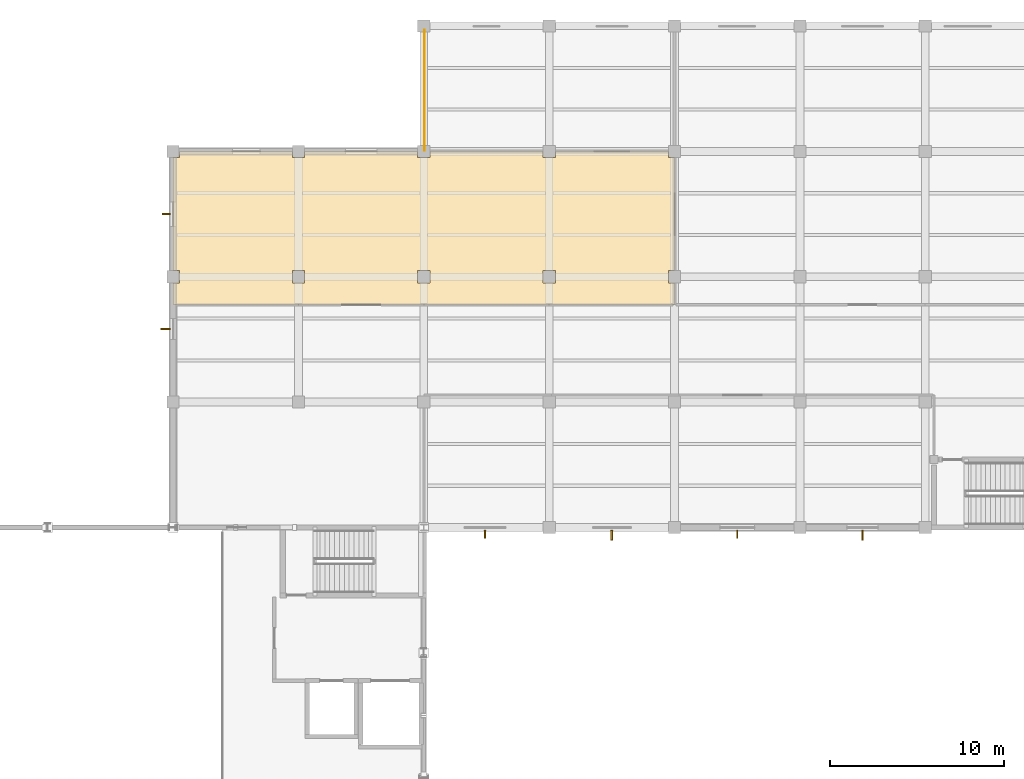
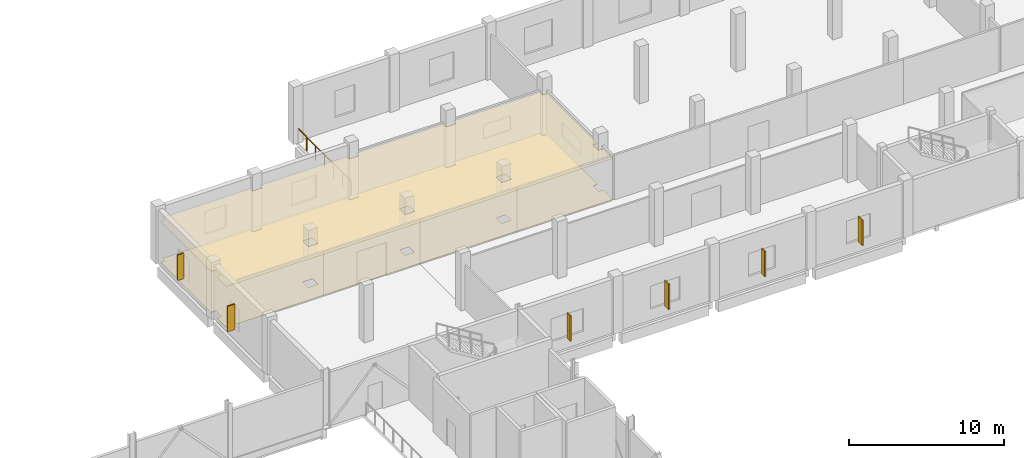
# One storey, part 106 of 108: 6 shading devices, 2 coverings, 1 railing.
"""IFC4 building model written with IfcOpenShell, lengths in metres."""

from ifc_helpers import new_model, si_unit, direction, frame, origin, origin_2d, place, context, subcontext, project, spatial, polyline, rectangle, circle, outline, extrude, material, layer, layer_set, type_object, element, save


model = new_model("IFC4")

# Units and contexts
model_context = context("Model", 3, precision=1e-05, world=origin(), true_north=direction((0.0, 1.0)))
body_context = subcontext(model_context, "Body", "Model", "MODEL_VIEW")
ifc_project = project(units=[si_unit("LENGTHUNIT", "METRE"), si_unit("AREAUNIT", "SQUARE_METRE"), si_unit("VOLUMEUNIT", "CUBIC_METRE"), si_unit("PLANEANGLEUNIT", "RADIAN"), si_unit("MASSUNIT", "GRAM", prefix="KILO"), si_unit("THERMODYNAMICTEMPERATUREUNIT", "KELVIN"), si_unit("POWERUNIT", "WATT")], contexts=[model_context])

# Site, building, storey
site_placement = place(None, origin())
site = spatial("IfcSite", under=ifc_project, at=site_placement, CompositionType="ELEMENT")
building_placement = place(site_placement, origin())
building = spatial("IfcBuilding", under=site, at=building_placement, Name="Kaldorven Railside Theatre", CompositionType="ELEMENT")
storey_placement = place(building_placement, frame((0.0, 0.0, 5.39990234375)))
storey = spatial("IfcBuildingStorey", under=building, at=storey_placement, Name="L01", CompositionType="ELEMENT", Elevation=5.39990234375)

# Coverings
ifc_material_1 = material(Name="Acoustic gypsum board")
ifc_layer_1 = layer(ifc_material_1, 0.0400390625, Name="Acoustic gypsum board")
ifc_layer_set_1 = layer_set([ifc_layer_1], Name="Acoustic gypsum board")
covering_type_1 = type_object("IfcCoveringType", Name="COV-CLG-01", PredefinedType="CEILING", material=ifc_layer_set_1)
covering_1_placement = place(storey_placement, frame((0.0, 0.0, 3.210205078125)))
element("IfcCovering", 1, at=covering_1_placement, inside=storey, type_object=covering_type_1, Name="Wardrobe Workshop Acoustic Ceiling 014", PredefinedType="CEILING", context=body_context, shape_type="SweptSolid", body=[
    extrude(outline(polyline([(137.60009765625, 125.60009765625), (108.800048828125, 125.60009765625), (108.800048828125, 126.847900390625), (109.152099609375, 126.847900390625), (109.152099609375, 127.552001953125), (108.800048828125, 127.552001953125), (108.800048828125, 134.048095703125), (109.152099609375, 134.048095703125), (109.152099609375, 134.39990234375), (115.64794921875, 134.39990234375), (115.64794921875, 134.048095703125), (116.35205078125, 134.048095703125), (116.35205078125, 134.39990234375), (122.847900390625, 134.39990234375), (122.847900390625, 134.048095703125), (123.552001953125, 134.048095703125), (123.552001953125, 134.39990234375), (130.048095703125, 134.39990234375), (130.048095703125, 134.048095703125), (130.751953125, 134.048095703125), (130.751953125, 134.39990234375), (137.248046875, 134.39990234375), (137.248046875, 134.048095703125), (137.60009765625, 134.048095703125), (137.60009765625, 127.552001953125), (137.248046875, 127.552001953125), (137.248046875, 126.847900390625), (137.60009765625, 126.847900390625), (137.60009765625, 125.60009765625)]), holes=[polyline([(123.552001953125, 127.552001953125), (122.847900390625, 127.552001953125), (122.847900390625, 126.847900390625), (123.552001953125, 126.847900390625), (123.552001953125, 127.552001953125)]), polyline([(116.35205078125, 127.552001953125), (115.64794921875, 127.552001953125), (115.64794921875, 126.847900390625), (116.35205078125, 126.847900390625), (116.35205078125, 127.552001953125)]), polyline([(130.751953125, 127.552001953125), (130.048095703125, 127.552001953125), (130.048095703125, 126.847900390625), (130.751953125, 126.847900390625), (130.751953125, 127.552001953125)])]), origin(), (0.0, 0.0, 1.0), 0.039794921875),
])
ifc_material_2 = material(Name="Terrazzo stone finish", Category="masonry")
ifc_layer_2 = layer(ifc_material_2, 0.02001953125, Name="Terrazzo stone finish")
ifc_layer_set_2 = layer_set([ifc_layer_2], Name="Terrazzo stone finish")
covering_type_2 = type_object("IfcCoveringType", Name="COV-FLR-02", PredefinedType="FLOORING", material=ifc_layer_set_2)
covering_2_placement = place(storey_placement, origin())
element("IfcCovering", 2, at=covering_2_placement, inside=storey, type_object=covering_type_2, Name="Wardrobe Workshop Finish Flooring FLR-006", PredefinedType="FLOORING", context=body_context, shape_type="SweptSolid", body=[
    extrude(outline(polyline([(137.60009765625, 125.60009765625), (108.800048828125, 125.60009765625), (108.800048828125, 126.847900390625), (109.152099609375, 126.847900390625), (109.152099609375, 127.552001953125), (108.800048828125, 127.552001953125), (108.800048828125, 134.048095703125), (109.152099609375, 134.048095703125), (109.152099609375, 134.39990234375), (115.64794921875, 134.39990234375), (115.64794921875, 134.048095703125), (116.35205078125, 134.048095703125), (116.35205078125, 134.39990234375), (122.847900390625, 134.39990234375), (122.847900390625, 134.048095703125), (123.552001953125, 134.048095703125), (123.552001953125, 134.39990234375), (130.048095703125, 134.39990234375), (130.048095703125, 134.048095703125), (130.751953125, 134.048095703125), (130.751953125, 134.39990234375), (137.248046875, 134.39990234375), (137.248046875, 134.048095703125), (137.60009765625, 134.048095703125), (137.60009765625, 127.552001953125), (137.248046875, 127.552001953125), (137.248046875, 126.847900390625), (137.60009765625, 126.847900390625), (137.60009765625, 125.60009765625)]), holes=[polyline([(123.552001953125, 127.552001953125), (122.847900390625, 127.552001953125), (122.847900390625, 126.847900390625), (123.552001953125, 126.847900390625), (123.552001953125, 127.552001953125)]), polyline([(116.35205078125, 127.552001953125), (115.64794921875, 127.552001953125), (115.64794921875, 126.847900390625), (116.35205078125, 126.847900390625), (116.35205078125, 127.552001953125)]), polyline([(130.751953125, 127.552001953125), (130.048095703125, 127.552001953125), (130.048095703125, 126.847900390625), (130.751953125, 126.847900390625), (130.751953125, 127.552001953125)])]), origin(), (0.0, 0.0, 1.0), 0.02001953125),
])

# Railing
ifc_material_3 = material(Name="Anodised bronze aluminium", Category="aluminium")
railing_type = type_object("IfcRailingType", Name="RLG-BAL-1100", PredefinedType="BALUSTRADE", material=ifc_material_3)
railing_placement = place(storey_placement, frame((123.239990234375, 134.459716796875, 0.0)))
element("IfcRailing", 3, at=railing_placement, inside=storey, type_object=railing_type, Name="L01 Safety Balustrade GR-041", PredefinedType="BALUSTRADE", context=body_context, shape_type="SweptSolid", body=[
    extrude(circle(Radius=0.02392578125, at=origin_2d()), frame((0.0, 0.0, 1.09619140625), z_axis=(0.0, 1.0, 0.0), x_axis=(-1.0, 0.0, 0.0)), (0.0, 0.0, 1.0), 6.89599609375),
    extrude(circle(Radius=0.02099609375, at=origin_2d()), origin(), (0.0, 0.0, 1.0), 1.072021484375),
    extrude(circle(Radius=0.02099609375, at=origin_2d()), frame((0.0, 1.1494140625, 0.0)), (0.0, 0.0, 1.0), 1.072021484375),
    extrude(circle(Radius=0.02099609375, at=origin_2d()), frame((0.0, 2.298583984375, 0.0)), (0.0, 0.0, 1.0), 1.072021484375),
    extrude(circle(Radius=0.02099609375, at=origin_2d()), frame((0.0, 3.447998046875, 0.0)), (0.0, 0.0, 1.0), 1.072021484375),
    extrude(circle(Radius=0.02099609375, at=origin_2d()), frame((0.0, 4.597412109375, 0.0)), (0.0, 0.0, 1.0), 1.072021484375),
    extrude(circle(Radius=0.02099609375, at=origin_2d()), frame((0.0, 5.74658203125, 0.0)), (0.0, 0.0, 1.0), 1.072021484375),
    extrude(circle(Radius=0.02099609375, at=origin_2d()), frame((0.0, 6.89599609375, 0.0)), (0.0, 0.0, 1.0), 1.072021484375),
])

# Shading devices
shading_device_type_1 = type_object("IfcShadingDeviceType", Name="SHD-FIN-01", PredefinedType="USERDEFINED", material=ifc_material_3)
for number, where, z_axis, x_axis, name in (
    (4, (108.404052734375, 130.800048828125, 0.800048828125), (0.0, 0.0, 1.0), (0.0, 1.0, 0.0), "Anodised-Bronze Brise-Soleil Fin FIN-031"),
    (5, (141.199951171875, 112.404052734375, 0.800048828125), (0.0, 0.0, 1.0), (-1.0, 0.0, 0.0), "Anodised-Bronze Brise-Soleil Fin FIN-049"),
    (6, (126.718017578125, 112.404052734375, 0.800048828125), (0.0, 0.0, 1.0), (-1.0, 0.0, 0.0), "Anodised-Bronze Brise-Soleil Fin FIN-051"),
):
    element("IfcShadingDevice", number, at=place(storey_placement, frame(where, z_axis=z_axis, x_axis=x_axis)), inside=storey, type_object=shading_device_type_1, Name=name, ObjectType="SUNSHADE", PredefinedType="USERDEFINED", context=body_context, shape_type="SweptSolid", body=[
        extrude(rectangle(XDim=0.080078125, YDim=0.449951171875, at=origin_2d()), origin(), (0.0, 0.0, 1.0), 2.0),
    ])
shading_device_type_2 = type_object("IfcShadingDeviceType", Name="SHD-FIN-02", PredefinedType="USERDEFINED", material=ifc_material_3)
for number, where, z_axis, x_axis, name in (
    (7, (108.35400390625, 124.199951171875, 0.800048828125), (0.0, 0.0, 1.0), (0.0, 1.0, 0.0), "Anodised-Bronze Brise-Soleil Fin FIN-030"),
    (8, (148.39990234375, 112.35400390625, 0.800048828125), (0.0, 0.0, 1.0), (-1.0, 0.0, 0.0), "Anodised-Bronze Brise-Soleil Fin FIN-048"),
    (9, (134.0, 112.35400390625, 0.800048828125), (0.0, 0.0, 1.0), (-1.0, 0.0, 0.0), "Anodised-Bronze Brise-Soleil Fin FIN-050"),
):
    element("IfcShadingDevice", number, at=place(storey_placement, frame(where, z_axis=z_axis, x_axis=x_axis)), inside=storey, type_object=shading_device_type_2, Name=name, ObjectType="SUNSHADE", PredefinedType="USERDEFINED", context=body_context, shape_type="SweptSolid", body=[
        extrude(rectangle(XDim=0.10009765625, YDim=0.550048828125, at=origin_2d()), origin(), (0.0, 0.0, 1.0), 2.0),
    ])

save(model, "model.ifc")
